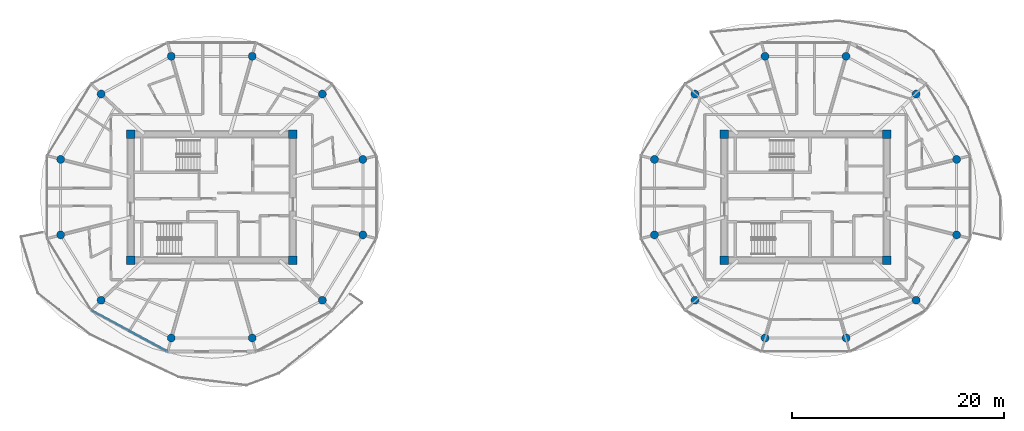
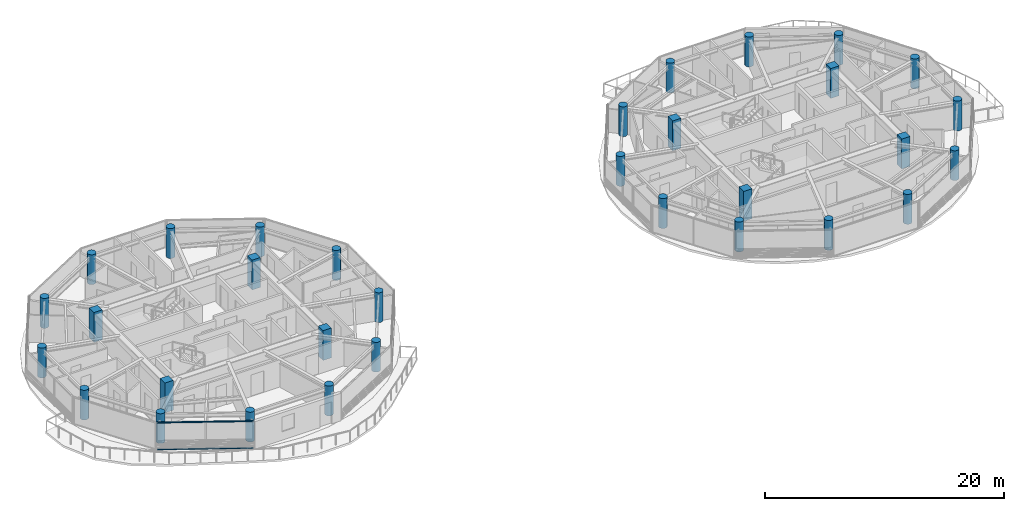
# One storey, part 1 of 19: 32 columns, 2 members, 1 element without a shape of its own.
"""IFC4 building model written with IfcOpenShell, lengths in metres."""

from ifc_helpers import new_model, si_unit, direction, frame, origin, origin_2d, place, context, subcontext, project, spatial, rectangle, circle, extrude, source, transform, mapped, material, layer, layer_set, material_profile, profile_set, type_object, type_shapes, element, aggregate, save


model = new_model("IFC4")

# Units and contexts
model_context = context("Model", 3, precision=1e-05, world=origin(), true_north=direction((0.0, 1.0)))
body_context = subcontext(model_context, "Body", "Model", "MODEL_VIEW")
ifc_project = project(units=[si_unit("LENGTHUNIT", "METRE"), si_unit("AREAUNIT", "SQUARE_METRE"), si_unit("VOLUMEUNIT", "CUBIC_METRE"), si_unit("PLANEANGLEUNIT", "RADIAN"), si_unit("MASSUNIT", "GRAM", prefix="KILO")], contexts=[model_context])

# Site, building, storey
site_placement = place(None, origin())
site = spatial("IfcSite", under=ifc_project, at=site_placement, CompositionType="ELEMENT")
building_placement = place(site_placement, origin())
building = spatial("IfcBuilding", under=site, at=building_placement, Name="Norrkilde Senior Care Towers", CompositionType="ELEMENT")
storey_placement = place(building_placement, frame((0.0, 0.0, 235.25)))
storey = spatial("IfcBuildingStorey", under=building, at=storey_placement, Name="L73", CompositionType="ELEMENT", Elevation=235.25)

# Columns
ifc_material_1 = material(Name="Concrete C60/75", Category="concrete")
ifc_material_profile_1 = material_profile(ifc_material_1, rectangle(XDim=0.800048828125, YDim=0.800048828125, at=origin_2d()), Name="RC COL 800x800")
ifc_profile_set_1 = profile_set([ifc_material_profile_1], Name="Concrete C60/75")
column_type_1 = type_object("IfcColumnType", Name="Column Core Corner Z3-Z4 800", PredefinedType="COLUMN", material=ifc_profile_set_1)
shared_shape_1 = source(origin(), body_context, "Body", "SweptSolid", [
    extrude(rectangle(XDim=0.800048828125, YDim=0.800048828125, at=origin_2d()), origin(), (0.0, 0.0, 1.0), 3.050048828125),
])
type_shapes(column_type_1, [shared_shape_1])
for number, where, z_axis, x_axis, name in (
    (1, (-35.64990234375, -5.949951171875, 0.0), (0.0, 0.0, 1.0), (1.0, 0.0, 0.0), "L73 Core W Corner Column 1"),
    (2, (-20.35009765625, -5.949951171875, 0.0), (0.0, 0.0, 1.0), (1.0, 0.0, 0.0), "L73 Core W Corner Column 2"),
    (3, (-20.35009765625, 5.949951171875, 0.0), (0.0, 0.0, 1.0), (1.0, 0.0, 0.0), "L73 Core W Corner Column 3"),
    (4, (-35.64990234375, 5.949951171875, 0.0), (0.0, 0.0, 1.0), (1.0, 0.0, 0.0), "L73 Core W Corner Column 4"),
    (5, (20.35009765625, -5.949951171875, 0.0), (0.0, 0.0, 1.0), (1.0, 0.0, 0.0), "L73 Core E Corner Column 1"),
    (6, (35.64990234375, -5.949951171875, 0.0), (0.0, 0.0, 1.0), (1.0, 0.0, 0.0), "L73 Core E Corner Column 2"),
    (7, (35.64990234375, 5.949951171875, 0.0), (0.0, 0.0, 1.0), (1.0, 0.0, 0.0), "L73 Core E Corner Column 3"),
    (8, (20.35009765625, 5.949951171875, 0.0), (0.0, 0.0, 1.0), (1.0, 0.0, 0.0), "L73 Core E Corner Column 4"),
):
    element("IfcColumn", number, at=place(storey_placement, frame(where, z_axis=z_axis, x_axis=x_axis)), inside=storey, type_object=column_type_1, Name=name, PredefinedType="COLUMN", context=body_context, shape_type="MappedRepresentation", body=[
        mapped(shared_shape_1, transform((0.0, 0.0, 0.0), x_axis=(1.0, 0.0, 0.0), y_axis=(0.0, 1.0, 0.0), z_axis=(0.0, 0.0, 1.0), scale=1.0)),
    ])
ifc_material_2 = material(Name="Concrete C50/60", Category="concrete")
ifc_material_profile_2 = material_profile(ifc_material_2, circle(Radius=0.375, at=origin_2d()), Name="RC CIR 750")
ifc_profile_set_2 = profile_set([ifc_material_profile_2], Name="Concrete C50/60")
column_type_2 = type_object("IfcColumnType", Name="Column Perimeter Z4 750", PredefinedType="COLUMN", material=ifc_profile_set_2)
shared_shape_2 = source(origin(), body_context, "Body", "SweptSolid", [
    extrude(circle(Radius=0.375, at=origin_2d()), origin(), (0.0, 0.0, 1.0), 3.050048828125),
])
type_shapes(column_type_2, [shared_shape_2])
for number, where, z_axis, x_axis, name in (
    (9, (-13.752685546875, 3.558837890625, 0.0), (0.0, 0.0, 1.0), (1.0, 0.0, 0.0), "L73 Drum W Perimeter Column 01"),
    (10, (-17.570068359375, 9.72265625, 0.0), (0.0, 0.0, 1.0), (1.0, 0.0, 0.0), "L73 Drum W Perimeter Column 02"),
    (11, (-24.182373046875, 13.281494140625, 0.0), (0.0, 0.0, 1.0), (1.0, 0.0, 0.0), "L73 Drum W Perimeter Column 03"),
    (12, (-31.817626953125, 13.281494140625, 0.0), (0.0, 0.0, 1.0), (1.0, 0.0, 0.0), "L73 Drum W Perimeter Column 04"),
    (13, (-38.429931640625, 9.72265625, 0.0), (0.0, 0.0, 1.0), (1.0, 0.0, 0.0), "L73 Drum W Perimeter Column 05"),
    (14, (-42.247314453125, 3.558837890625, 0.0), (0.0, 0.0, 1.0), (1.0, 0.0, 0.0), "L73 Drum W Perimeter Column 06"),
    (15, (-42.247314453125, -3.558837890625, 0.0), (0.0, 0.0, 1.0), (1.0, 0.0, 0.0), "L73 Drum W Perimeter Column 07"),
    (16, (-38.429931640625, -9.72265625, 0.0), (0.0, 0.0, 1.0), (1.0, 0.0, 0.0), "L73 Drum W Perimeter Column 08"),
    (17, (-31.817626953125, -13.281494140625, 0.0), (0.0, 0.0, 1.0), (1.0, 0.0, 0.0), "L73 Drum W Perimeter Column 09"),
    (18, (-24.182373046875, -13.281494140625, 0.0), (0.0, 0.0, 1.0), (1.0, 0.0, 0.0), "L73 Drum W Perimeter Column 10"),
    (19, (-17.570068359375, -9.72265625, 0.0), (0.0, 0.0, 1.0), (1.0, 0.0, 0.0), "L73 Drum W Perimeter Column 11"),
    (20, (-13.752685546875, -3.558837890625, 0.0), (0.0, 0.0, 1.0), (1.0, 0.0, 0.0), "L73 Drum W Perimeter Column 12"),
    (21, (42.247314453125, 3.558837890625, 0.0), (0.0, 0.0, 1.0), (1.0, 0.0, 0.0), "L73 Drum E Perimeter Column 01"),
    (22, (38.429931640625, 9.72265625, 0.0), (0.0, 0.0, 1.0), (1.0, 0.0, 0.0), "L73 Drum E Perimeter Column 02"),
    (23, (31.817626953125, 13.281494140625, 0.0), (0.0, 0.0, 1.0), (1.0, 0.0, 0.0), "L73 Drum E Perimeter Column 03"),
    (24, (24.182373046875, 13.281494140625, 0.0), (0.0, 0.0, 1.0), (1.0, 0.0, 0.0), "L73 Drum E Perimeter Column 04"),
    (25, (17.570068359375, 9.72265625, 0.0), (0.0, 0.0, 1.0), (1.0, 0.0, 0.0), "L73 Drum E Perimeter Column 05"),
    (26, (13.752685546875, 3.558837890625, 0.0), (0.0, 0.0, 1.0), (1.0, 0.0, 0.0), "L73 Drum E Perimeter Column 06"),
    (27, (13.752685546875, -3.558837890625, 0.0), (0.0, 0.0, 1.0), (1.0, 0.0, 0.0), "L73 Drum E Perimeter Column 07"),
    (28, (17.570068359375, -9.72265625, 0.0), (0.0, 0.0, 1.0), (1.0, 0.0, 0.0), "L73 Drum E Perimeter Column 08"),
    (29, (24.182373046875, -13.281494140625, 0.0), (0.0, 0.0, 1.0), (1.0, 0.0, 0.0), "L73 Drum E Perimeter Column 09"),
    (30, (31.817626953125, -13.281494140625, 0.0), (0.0, 0.0, 1.0), (1.0, 0.0, 0.0), "L73 Drum E Perimeter Column 10"),
    (31, (38.429931640625, -9.72265625, 0.0), (0.0, 0.0, 1.0), (1.0, 0.0, 0.0), "L73 Drum E Perimeter Column 11"),
    (32, (42.247314453125, -3.558837890625, 0.0), (0.0, 0.0, 1.0), (1.0, 0.0, 0.0), "L73 Drum E Perimeter Column 12"),
):
    element("IfcColumn", number, at=place(storey_placement, frame(where, z_axis=z_axis, x_axis=x_axis)), inside=storey, type_object=column_type_2, Name=name, PredefinedType="COLUMN", context=body_context, shape_type="MappedRepresentation", body=[
        mapped(shared_shape_2, transform((0.0, 0.0, 0.0), x_axis=(1.0, 0.0, 0.0), y_axis=(0.0, 1.0, 0.0), z_axis=(0.0, 0.0, 1.0), scale=1.0)),
    ])

# Curtain wall, members
ifc_material_3 = material(Name="Triple Low-E Insulated Glazing", Category="glass")
ifc_layer = layer(ifc_material_3, 0.18505859375)
ifc_layer_set = layer_set([ifc_layer], Name="Triple Low-E Insulated Glazing")
curtain_wall_type = type_object("IfcCurtainWallType", Name="CW6 Zone 4 Crown Pavilion Curtain Wall", PredefinedType="NOTDEFINED", material=ifc_layer_set)
curtain_wall_placement = place(storey_placement, origin())
curtain_wall = element("IfcCurtainWall", 33, at=curtain_wall_placement, inside=storey, type_object=curtain_wall_type, Name="L73 Drum W Curtain Wall 07", PredefinedType="NOTDEFINED")
ifc_material_4 = material(Name="Anodised Aluminium", Category="aluminium")
ifc_material_profile_3 = material_profile(ifc_material_4, rectangle(XDim=0.06005859375, YDim=0.1201171875, at=origin_2d()), Name="ALU TRAN 60x120")
ifc_profile_set_3 = profile_set([ifc_material_profile_3], Name="Anodised Aluminium")
member_type = type_object("IfcMemberType", Name="Curtain Wall Transom Typical 60x120", PredefinedType="USERDEFINED", material=ifc_profile_set_3)
shared_shape_3 = source(origin(), body_context, "Body", "SweptSolid", [
    extrude(rectangle(XDim=0.06005859375, YDim=0.1201171875, at=origin_2d()), origin(), (0.0, 0.0, 1.0), 8.0673828125),
])
type_shapes(member_type, [shared_shape_3])
member_1_placement = place(storey_placement, frame((-32.218994140625, -14.53515625, 0.030029296875), z_axis=(-0.87937750072, 0.476125205411, 0.0), x_axis=(-0.476125205411, -0.87937750072, 0.0)))
member_1 = element("IfcMember", 34, at=member_1_placement, type_object=member_type, Name="CW-6 transom 1.1", ObjectType="TRANSOM", PredefinedType="USERDEFINED", context=body_context, shape_type="MappedRepresentation", body=[
    mapped(shared_shape_3, transform((0.0, 0.0, 0.0), x_axis=(1.0, 0.0, 0.0), y_axis=(0.0, 1.0, 0.0), z_axis=(0.0, 0.0, 1.0), scale=1.0)),
])
member_2_placement = place(storey_placement, frame((-32.218994140625, -14.53515625, 2.780029296875), z_axis=(-0.87937750072, 0.476125205411, 0.0), x_axis=(-0.476125205411, -0.87937750072, 0.0)))
member_2 = element("IfcMember", 35, at=member_2_placement, type_object=member_type, Name="CW-6 transom 1.2", ObjectType="TRANSOM", PredefinedType="USERDEFINED", context=body_context, shape_type="MappedRepresentation", body=[
    mapped(shared_shape_3, transform((0.0, 0.0, 0.0), x_axis=(1.0, 0.0, 0.0), y_axis=(0.0, 1.0, 0.0), z_axis=(0.0, 0.0, 1.0), scale=1.0)),
])
aggregate(curtain_wall, [member_1, member_2])

save(model, "model.ifc")
